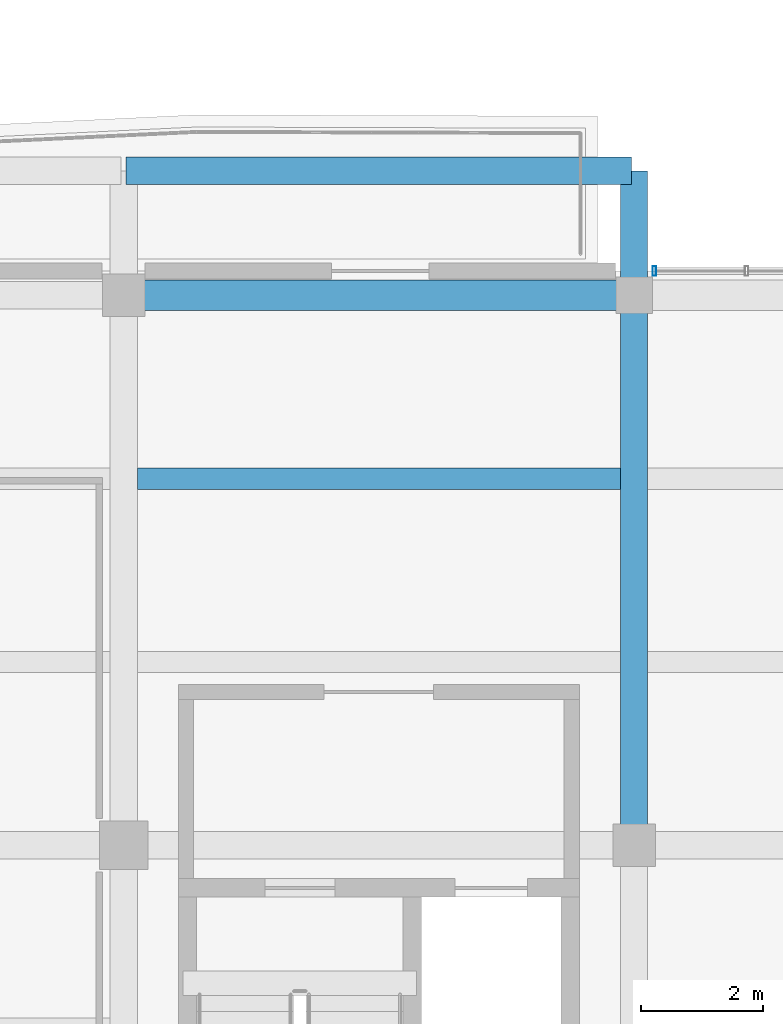
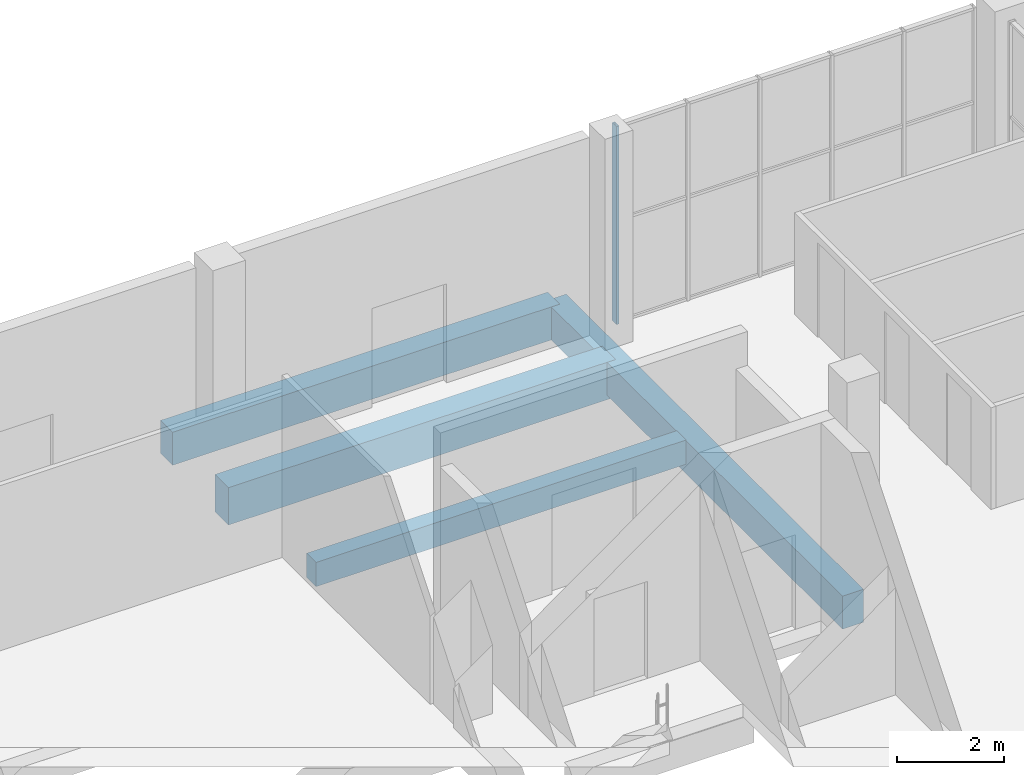
# One storey, part 24 of 80: 4 beams, 1 member, 1 element without a shape of its own.
"""IFC4 building model written with IfcOpenShell, lengths in metres."""

from ifc_helpers import new_model, si_unit, direction, frame, origin, origin_2d, place, context, subcontext, project, spatial, rectangle, hollow_rectangle, extrude, material, material_profile, profile_set, type_object, element, aggregate, save


model = new_model("IFC4")

# Units and contexts
model_context = context("Model", 3, precision=1e-05, world=origin(), true_north=direction((0.0, 1.0)))
body_context = subcontext(model_context, "Body", "Model", "MODEL_VIEW")
ifc_project = project(units=[si_unit("LENGTHUNIT", "METRE"), si_unit("AREAUNIT", "SQUARE_METRE"), si_unit("VOLUMEUNIT", "CUBIC_METRE"), si_unit("PLANEANGLEUNIT", "RADIAN"), si_unit("MASSUNIT", "GRAM", prefix="KILO")], contexts=[model_context])

# Site, building, storey
site_placement = place(None, origin())
site = spatial("IfcSite", under=ifc_project, at=site_placement, CompositionType="ELEMENT")
building_placement = place(site_placement, origin())
building = spatial("IfcBuilding", under=site, at=building_placement, Name="Khurvash Pelagic Aquarium", CompositionType="ELEMENT")
storey_placement = place(building_placement, frame((0.0, 0.0, 10.800048828125)))
storey = spatial("IfcBuildingStorey", under=building, at=storey_placement, Name="L02", CompositionType="ELEMENT", Elevation=10.800048828125)

# Beams
ifc_material_1 = material(Name="Concrete C35/45", Category="concrete")
ifc_material_profile_1 = material_profile(ifc_material_1, rectangle(XDim=0.449951171875, YDim=0.75, at=origin_2d()), Name="RC450X750")
ifc_profile_set_1 = profile_set([ifc_material_profile_1], Name="Concrete C35/45")
beam_type_1 = type_object("IfcBeamType", Name="BM-04", PredefinedType="BEAM", material=ifc_profile_set_1)
beam_1_placement = place(storey_placement, frame((100.800048828125, 20.739990234375, -0.695068359375), z_axis=(0.0, 1.0, 0.0), x_axis=(-1.0, 0.0, 0.0)))
element("IfcBeam", 1, at=beam_1_placement, inside=storey, type_object=beam_type_1, Name="L02 Primary Girder BM-04 00707", PredefinedType="BEAM", context=body_context, shape_type="SweptSolid", body=[
    extrude(rectangle(XDim=0.449951171875, YDim=0.75, at=origin_2d()), origin(), (0.0, 0.0, 1.0), 11.06005859375),
])
beam_2_placement = place(storey_placement, frame((92.43994140625, 31.800048828125, -0.695068359375), z_axis=(1.0, 0.0, 0.0), x_axis=(0.0, 1.0, 0.0)))
element("IfcBeam", 2, at=beam_2_placement, inside=storey, type_object=beam_type_1, Name="L02 Terrace Edge Trimmer Beam BM-04", PredefinedType="BEAM", context=body_context, shape_type="SweptSolid", body=[
    extrude(rectangle(XDim=0.449951171875, YDim=0.75, at=origin_2d()), origin(), (0.0, 0.0, 1.0), 8.320068359375),
])

# Curtain wall, member
ifc_material_2 = material(Name="Anodised aluminium and low-E laminated glass", Category="aluminium")
curtain_wall_type = type_object("IfcCurtainWallType", Name="CW-06", PredefinedType="USERDEFINED", material=ifc_material_2)
curtain_wall_placement = place(storey_placement, origin())
curtain_wall = element("IfcCurtainWall", 3, at=curtain_wall_placement, inside=storey, type_object=curtain_wall_type, Name="L02 Facade Unitised Curtain Wall CW-06 0159", ObjectType="UNITISED CURTAIN WALL", PredefinedType="USERDEFINED")
ifc_material_3 = material(Name="Extruded aluminium AW-6063-T6", Category="aluminium")
ifc_material_profile_2 = material_profile(ifc_material_3, hollow_rectangle(XDim=0.06005859375, YDim=0.159912109375, WallThickness=0.00390625, at=origin_2d()), Name="CWM60X160X4")
ifc_profile_set_2 = profile_set([ifc_material_profile_2], Name="Extruded aluminium AW-6063-T6")
member_type = type_object("IfcMemberType", Name="CM-02", PredefinedType="MULLION", material=ifc_profile_set_2)
member_placement = place(storey_placement, frame((101.135009765625, 30.14990234375, 0.0), z_axis=(0.0, 0.0, 1.0), x_axis=(-1.0, 0.0, 0.0)))
member = element("IfcMember", 4, at=member_placement, type_object=member_type, Name="CW-06 mullion 6", PredefinedType="MULLION", context=body_context, shape_type="SweptSolid", body=[
    extrude(hollow_rectangle(XDim=0.06005859375, YDim=0.159912109375, WallThickness=0.00390625, at=origin_2d()), origin(), (0.0, 0.0, 1.0), 4.5),
])
aggregate(curtain_wall, [member])

# Beams
ifc_material_profile_3 = material_profile(ifc_material_1, rectangle(XDim=0.35009765625, YDim=0.550048828125, at=origin_2d()), Name="RC350X550")
ifc_profile_set_3 = profile_set([ifc_material_profile_3], Name="Concrete C35/45")
beam_type_2 = type_object("IfcBeamType", Name="JS-01", PredefinedType="JOIST", material=ifc_profile_set_3)
beam_3_placement = place(storey_placement, frame((92.625, 26.73291015625, -0.574951171875), z_axis=(1.0, 0.0, 0.0), x_axis=(0.0, 1.0, 0.0)))
element("IfcBeam", 5, at=beam_3_placement, inside=storey, type_object=beam_type_2, Name="L02 Floor Joist JS-01 00808", PredefinedType="JOIST", context=body_context, shape_type="SweptSolid", body=[
    extrude(rectangle(XDim=0.35009765625, YDim=0.550048828125, at=origin_2d()), origin(), (0.0, 0.0, 1.0), 7.949951171875),
])
ifc_material_4 = material(Name="Concrete C40/50", Category="concrete")
ifc_material_profile_4 = material_profile(ifc_material_4, rectangle(XDim=0.5, YDim=0.85009765625, at=origin_2d()), Name="RC500X850")
ifc_profile_set_4 = profile_set([ifc_material_profile_4], Name="Concrete C40/50")
beam_type_3 = type_object("IfcBeamType", Name="SEB-03", PredefinedType="SPANDREL", material=ifc_profile_set_4)
beam_4_placement = place(storey_placement, frame((92.43994140625, 29.75, -0.7451171875), z_axis=(1.0, 0.0, 0.0), x_axis=(0.0, 1.0, 0.0)))
element("IfcBeam", 6, at=beam_4_placement, inside=storey, type_object=beam_type_3, Name="L02 Primary Girder SEB-03 00599", PredefinedType="SPANDREL", context=body_context, shape_type="SweptSolid", body=[
    extrude(rectangle(XDim=0.5, YDim=0.85009765625, at=origin_2d()), origin(), (0.0, 0.0, 1.0), 8.320068359375),
])

save(model, "model.ifc")
